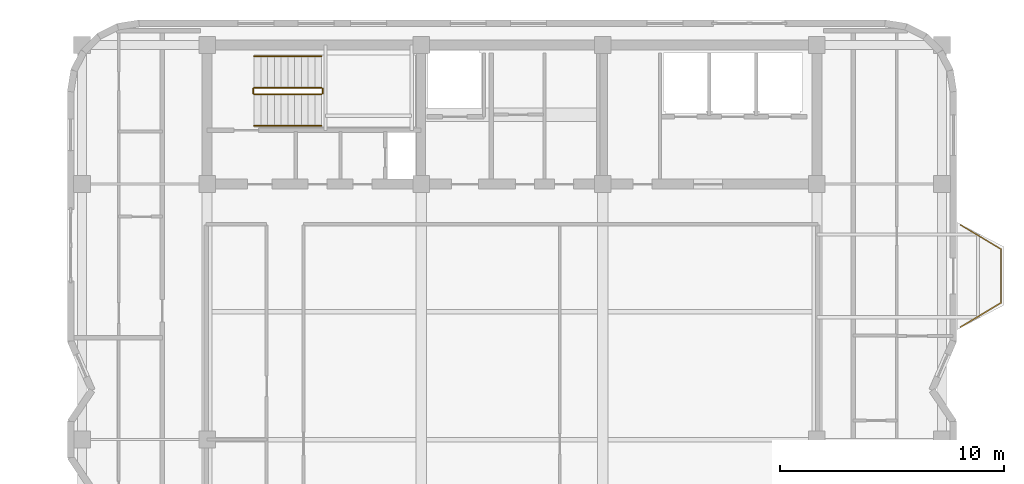
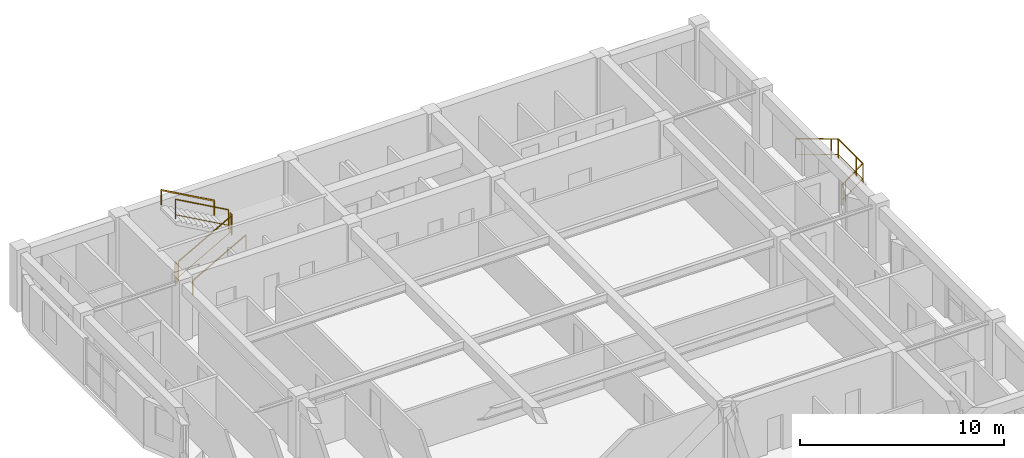
# One storey, part 11 of 11: 7 railings.
"""IFC4 building model written with IfcOpenShell, lengths in metres."""

from ifc_helpers import new_model, si_unit, direction, frame, origin, origin_2d, place, context, subcontext, project, spatial, rectangle, extrude, material, type_object, element, save


model = new_model("IFC4")

# Units and contexts
model_context = context("Model", 3, precision=1e-05, world=origin(), true_north=direction((0.0, 1.0)))
body_context = subcontext(model_context, "Body", "Model", "MODEL_VIEW")
ifc_project = project(units=[si_unit("LENGTHUNIT", "METRE"), si_unit("AREAUNIT", "SQUARE_METRE"), si_unit("VOLUMEUNIT", "CUBIC_METRE"), si_unit("PLANEANGLEUNIT", "RADIAN"), si_unit("MASSUNIT", "GRAM", prefix="KILO")], contexts=[model_context])

# Site, building, storey
site_placement = place(None, origin())
site = spatial("IfcSite", under=ifc_project, at=site_placement, CompositionType="ELEMENT")
building_placement = place(site_placement, origin())
building = spatial("IfcBuilding", under=site, at=building_placement, Name="Svetorya Sky Lyceum", CompositionType="ELEMENT")
storey_placement = place(building_placement, frame((0.0, 0.0, 289.800048828125)))
storey = spatial("IfcBuildingStorey", under=building, at=storey_placement, Name="L73", CompositionType="ELEMENT", Elevation=289.800048828125)

# Railings
ifc_material_1 = material(Name="Laminated safety glass and stainless AISI 316", Category="glass")
railing_type_1 = type_object("IfcRailingType", Name="RL-BAL-1200", PredefinedType="BALUSTRADE", material=ifc_material_1)
railing_1_placement = place(storey_placement, frame((59.2099609375, 37.780029296875, 0.0)))
element("IfcRailing", 1, at=railing_1_placement, inside=storey, type_object=railing_type_1, Name="L73 Balcony Balustrade BAL-E1", PredefinedType="BALUSTRADE", context=body_context, shape_type="SweptSolid", body=[
    extrude(rectangle(XDim=0.048095703125, YDim=0.048095703125, at=origin_2d()), frame((0.0, 0.0, 1.17578125), z_axis=(0.857482663744, -0.514512858321, 0.0), x_axis=(0.514512858321, 0.857482663744, 0.0)), (0.0, 0.0, 1.0), 2.09912109375),
    extrude(rectangle(XDim=0.02392578125, YDim=0.02392578125, at=origin_2d()), frame((0.0, 0.0, 0.25), z_axis=(0.857482663744, -0.514512858321, 0.0), x_axis=(0.514512858321, 0.857482663744, 0.0)), (0.0, 0.0, 1.0), 2.09912109375),
    extrude(rectangle(XDim=0.048095703125, YDim=0.048095703125, at=origin_2d()), frame((1.800048828125, -1.080078125, 1.17578125), z_axis=(0.0, -1.0, 0.0), x_axis=(1.0, 0.0, 0.0)), (0.0, 0.0, 1.0), 2.39990234375),
    extrude(rectangle(XDim=0.02392578125, YDim=0.02392578125, at=origin_2d()), frame((1.800048828125, -1.080078125, 0.25), z_axis=(0.0, -1.0, 0.0), x_axis=(1.0, 0.0, 0.0)), (0.0, 0.0, 1.0), 2.39990234375),
    extrude(rectangle(XDim=0.048095703125, YDim=0.048095703125, at=origin_2d()), frame((1.800048828125, -3.47998046875, 1.17578125), z_axis=(-0.857482663744, -0.514512858321, 0.0), x_axis=(0.514512858321, -0.857482663744, 0.0)), (0.0, 0.0, 1.0), 2.09912109375),
    extrude(rectangle(XDim=0.02392578125, YDim=0.02392578125, at=origin_2d()), frame((1.800048828125, -3.47998046875, 0.25), z_axis=(-0.857482663744, -0.514512858321, 0.0), x_axis=(0.514512858321, -0.857482663744, 0.0)), (0.0, 0.0, 1.0), 2.09912109375),
    extrude(rectangle(XDim=0.0419921875, YDim=0.0419921875, at=origin_2d()), origin(), (0.0, 0.0, 1.0), 1.15185546875),
    extrude(rectangle(XDim=0.0419921875, YDim=0.0419921875, at=origin_2d()), frame((1.50048828125, -0.900390625, 0.0)), (0.0, 0.0, 1.0), 1.15185546875),
    extrude(rectangle(XDim=0.0419921875, YDim=0.0419921875, at=origin_2d()), frame((1.800048828125, -1.080078125, 0.0)), (0.0, 0.0, 1.0), 1.15185546875),
    extrude(rectangle(XDim=0.0419921875, YDim=0.0419921875, at=origin_2d()), frame((1.800048828125, -2.830078125, 0.0)), (0.0, 0.0, 1.0), 1.15185546875),
    extrude(rectangle(XDim=0.0419921875, YDim=0.0419921875, at=origin_2d()), frame((1.800048828125, -3.47998046875, 0.0)), (0.0, 0.0, 1.0), 1.15185546875),
    extrude(rectangle(XDim=0.0419921875, YDim=0.0419921875, at=origin_2d()), frame((0.299560546875, -4.38037109375, 0.0)), (0.0, 0.0, 1.0), 1.15185546875),
    extrude(rectangle(XDim=0.0419921875, YDim=0.0419921875, at=origin_2d()), frame((0.0, -4.56005859375, 0.0)), (0.0, 0.0, 1.0), 1.15185546875),
])
ifc_material_2 = material(Name="Painted galvanized stair well guard")
railing_type_2 = type_object("IfcRailingType", Name="RL-STR-GUARD-1200", PredefinedType="GUARDRAIL", material=ifc_material_2)
railing_2_placement = place(storey_placement, frame((27.699951171875, 43.60009765625, 0.168212890625)))
element("IfcRailing", 2, at=railing_2_placement, inside=storey, type_object=railing_type_2, Name="L73 ST-N stair guard 1", PredefinedType="GUARDRAIL", context=body_context, shape_type="SweptSolid", body=[
    extrude(rectangle(XDim=0.048095703125, YDim=0.048095703125, at=origin_2d()), frame((0.0, 0.0, 1.17578125), z_axis=(0.872302573547, 0.0, 0.488966481656), x_axis=(0.0, 1.0, 0.0)), (0.0, 0.0, 1.0), 3.439208984375),
    extrude(rectangle(XDim=0.02392578125, YDim=0.02392578125, at=origin_2d()), frame((0.0, 0.0, 0.25), z_axis=(0.872302573547, 0.0, 0.488966481656), x_axis=(0.0, 1.0, 0.0)), (0.0, 0.0, 1.0), 3.439208984375),
    extrude(rectangle(XDim=0.0419921875, YDim=0.0419921875, at=origin_2d()), origin(), (0.0, 0.0, 1.0), 1.15185546875),
    extrude(rectangle(XDim=0.0419921875, YDim=0.0419921875, at=origin_2d()), frame((3.0, 0.0, 1.681640625)), (0.0, 0.0, 1.0), 1.15185546875),
])
railing_3_placement = place(storey_placement, frame((30.75, 43.64990234375, 1.849853515625)))
element("IfcRailing", 3, at=railing_3_placement, inside=storey, type_object=railing_type_2, Name="L73 ST-N stair guard 2", PredefinedType="GUARDRAIL", context=body_context, shape_type="SweptSolid", body=[
    extrude(rectangle(XDim=0.048095703125, YDim=0.048095703125, at=origin_2d()), frame((0.0, 0.0, 1.17578125), z_axis=(0.0, 1.0, 0.0), x_axis=(-1.0, 0.0, 0.0)), (0.0, 0.0, 1.0), 0.2001953125),
    extrude(rectangle(XDim=0.02392578125, YDim=0.02392578125, at=origin_2d()), frame((0.0, 0.0, 0.25), z_axis=(0.0, 1.0, 0.0), x_axis=(-1.0, 0.0, 0.0)), (0.0, 0.0, 1.0), 0.2001953125),
    extrude(rectangle(XDim=0.0419921875, YDim=0.0419921875, at=origin_2d()), origin(), (0.0, 0.0, 1.0), 1.15185546875),
    extrude(rectangle(XDim=0.0419921875, YDim=0.0419921875, at=origin_2d()), frame((0.0, 0.2001953125, 0.0)), (0.0, 0.0, 1.0), 1.15185546875),
])
railing_4_placement = place(storey_placement, frame((30.699951171875, 43.89990234375, 2.01806640625)))
element("IfcRailing", 4, at=railing_4_placement, inside=storey, type_object=railing_type_2, Name="L73 ST-N stair guard 3", PredefinedType="GUARDRAIL", context=body_context, shape_type="SweptSolid", body=[
    extrude(rectangle(XDim=0.048095703125, YDim=0.048095703125, at=origin_2d()), frame((0.0, 0.0, 1.17578125), z_axis=(-0.872272294576, 0.0, 0.489020494575), x_axis=(0.0, -1.0, 0.0)), (0.0, 0.0, 1.0), 3.439208984375),
    extrude(rectangle(XDim=0.02392578125, YDim=0.02392578125, at=origin_2d()), frame((0.0, 0.0, 0.25), z_axis=(-0.872272294576, 0.0, 0.489020494575), x_axis=(0.0, -1.0, 0.0)), (0.0, 0.0, 1.0), 3.439208984375),
    extrude(rectangle(XDim=0.0419921875, YDim=0.0419921875, at=origin_2d()), origin(), (0.0, 0.0, 1.0), 1.15185546875),
    extrude(rectangle(XDim=0.0419921875, YDim=0.0419921875, at=origin_2d()), frame((-3.0, 0.0, 1.681884765625)), (0.0, 0.0, 1.0), 1.15185546875),
])
railing_5_placement = place(storey_placement, frame((27.64990234375, 43.64990234375, 0.0)))
element("IfcRailing", 5, at=railing_5_placement, inside=storey, type_object=railing_type_2, Name="L73 ST-N stair guard 4", PredefinedType="GUARDRAIL", context=body_context, shape_type="SweptSolid", body=[
    extrude(rectangle(XDim=0.048095703125, YDim=0.048095703125, at=origin_2d()), frame((0.0, 0.0, 1.17578125), z_axis=(0.0, 1.0, 0.0), x_axis=(-1.0, 0.0, 0.0)), (0.0, 0.0, 1.0), 0.2001953125),
    extrude(rectangle(XDim=0.02392578125, YDim=0.02392578125, at=origin_2d()), frame((0.0, 0.0, 0.25), z_axis=(0.0, 1.0, 0.0), x_axis=(-1.0, 0.0, 0.0)), (0.0, 0.0, 1.0), 0.2001953125),
    extrude(rectangle(XDim=0.0419921875, YDim=0.0419921875, at=origin_2d()), origin(), (0.0, 0.0, 1.0), 1.15185546875),
    extrude(rectangle(XDim=0.0419921875, YDim=0.0419921875, at=origin_2d()), frame((0.0, 0.2001953125, 0.0)), (0.0, 0.0, 1.0), 1.15185546875),
])
ifc_material_3 = material(Name="Brushed stainless AISI 304 stair handrail")
railing_type_3 = type_object("IfcRailingType", Name="RL-STR-HAND-920", PredefinedType="HANDRAIL", material=ifc_material_3)
railing_6_placement = place(storey_placement, frame((27.699951171875, 42.199951171875, 0.168212890625)))
element("IfcRailing", 6, at=railing_6_placement, inside=storey, type_object=railing_type_3, Name="L73 ST-N stair handrail 1", PredefinedType="HANDRAIL", context=body_context, shape_type="SweptSolid", body=[
    extrude(rectangle(XDim=0.048095703125, YDim=0.048095703125, at=origin_2d()), frame((0.0, 0.0, 0.8759765625), z_axis=(0.872302573547, 0.0, 0.488966481656), x_axis=(0.0, 1.0, 0.0)), (0.0, 0.0, 1.0), 3.439208984375),
    extrude(rectangle(XDim=0.0419921875, YDim=0.0419921875, at=origin_2d()), origin(), (0.0, 0.0, 1.0), 0.851806640625),
    extrude(rectangle(XDim=0.0419921875, YDim=0.0419921875, at=origin_2d()), frame((3.0, 0.0, 1.681640625)), (0.0, 0.0, 1.0), 0.851806640625),
])
railing_7_placement = place(storey_placement, frame((30.699951171875, 45.300048828125, 2.01806640625)))
element("IfcRailing", 7, at=railing_7_placement, inside=storey, type_object=railing_type_3, Name="L73 ST-N stair handrail 2", PredefinedType="HANDRAIL", context=body_context, shape_type="SweptSolid", body=[
    extrude(rectangle(XDim=0.048095703125, YDim=0.048095703125, at=origin_2d()), frame((0.0, 0.0, 0.8759765625), z_axis=(-0.872272294576, 0.0, 0.489020494575), x_axis=(0.0, -1.0, 0.0)), (0.0, 0.0, 1.0), 3.439208984375),
    extrude(rectangle(XDim=0.0419921875, YDim=0.0419921875, at=origin_2d()), origin(), (0.0, 0.0, 1.0), 0.851806640625),
    extrude(rectangle(XDim=0.0419921875, YDim=0.0419921875, at=origin_2d()), frame((-3.0, 0.0, 1.681884765625)), (0.0, 0.0, 1.0), 0.851806640625),
])

save(model, "model.ifc")
